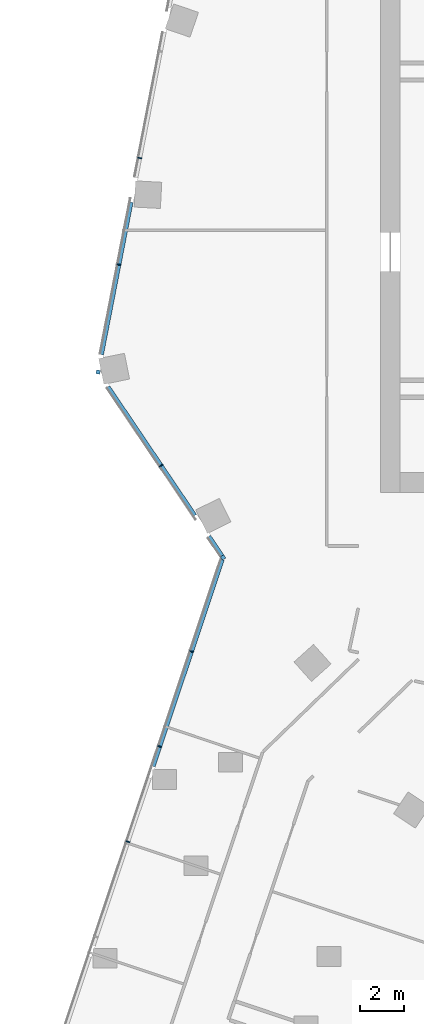
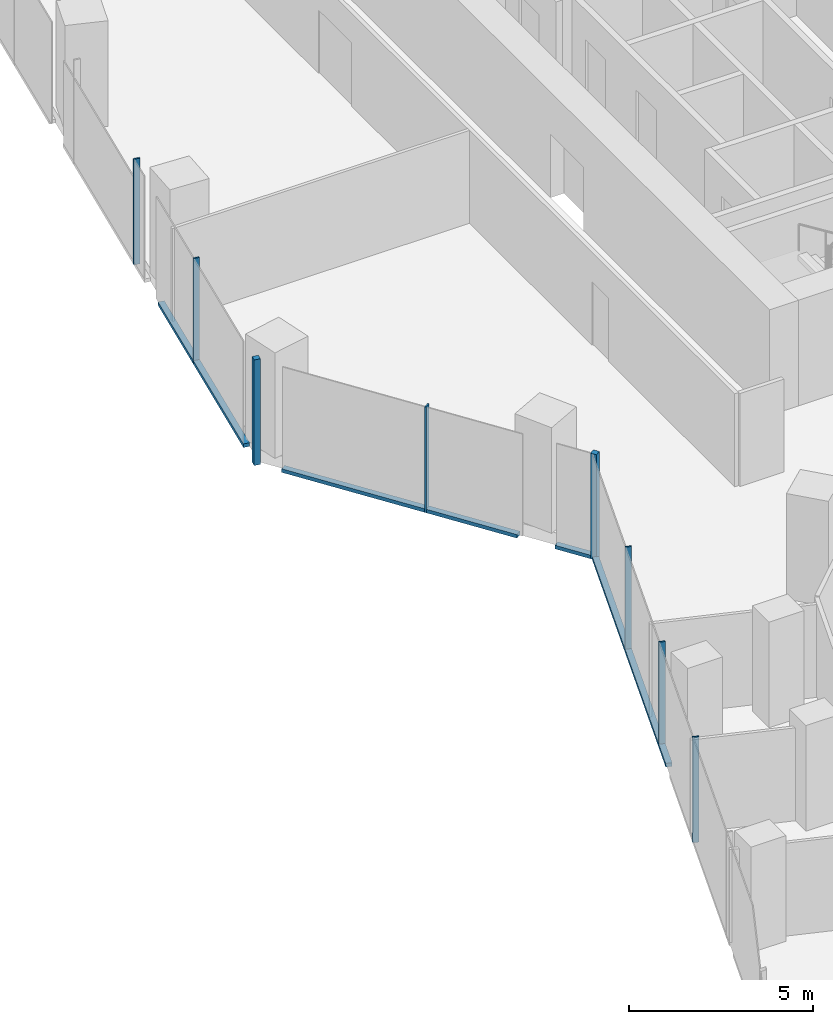
# One storey, part 6 of 25: 12 members, 3 elements without a shape of their own.
"""IFC4 building model written with IfcOpenShell, lengths in metres."""

from ifc_helpers import new_model, si_unit, direction, frame, origin, origin_2d, place, context, subcontext, project, spatial, rectangle, extrude, material, material_profile, profile_set, type_object, element, aggregate, save


model = new_model("IFC4")

# Units and contexts
model_context = context("Model", 3, precision=1e-05, world=origin(), true_north=direction((0.0, 1.0)))
body_context = subcontext(model_context, "Body", "Model", "MODEL_VIEW")
ifc_project = project(units=[si_unit("LENGTHUNIT", "METRE"), si_unit("AREAUNIT", "SQUARE_METRE"), si_unit("VOLUMEUNIT", "CUBIC_METRE"), si_unit("PLANEANGLEUNIT", "RADIAN"), si_unit("MASSUNIT", "GRAM", prefix="KILO")], contexts=[model_context])

# Site, building, storey
site_placement = place(None, origin())
site = spatial("IfcSite", under=ifc_project, at=site_placement, CompositionType="ELEMENT")
building_placement = place(site_placement, origin())
building = spatial("IfcBuilding", under=site, at=building_placement, Name="Orlundy Tower", CompositionType="ELEMENT")
storey_placement = place(building_placement, frame((0.0, 0.0, 159.60009765625)))
storey = spatial("IfcBuildingStorey", under=building, at=storey_placement, Name="L41", CompositionType="ELEMENT", Elevation=159.60009765625)

# Curtain wall, member
ifc_material_1 = material(Name="Aluminium bronze anodised", Category="aluminium")
curtain_wall_type = type_object("IfcCurtainWallType", Name="CW1 wall", PredefinedType="NOTDEFINED", material=ifc_material_1)
curtain_wall_1_placement = place(storey_placement, origin())
curtain_wall_1 = element("IfcCurtainWall", 1, at=curtain_wall_1_placement, inside=storey, type_object=curtain_wall_type, Name="CW1 run 01", PredefinedType="NOTDEFINED")
ifc_material_2 = material(Name="Aluminium bronze anodised", Category="aluminium")
ifc_material_profile_1 = material_profile(ifc_material_2, rectangle(XDim=0.179931640625, YDim=0.179931640625, at=origin_2d()), Name="CW1 corner post 180x180")
ifc_profile_set_1 = profile_set([ifc_material_profile_1], Name="Aluminium bronze anodised")
member_type_1 = type_object("IfcMemberType", Name="CW1 corner post 180x180", PredefinedType="MULLION", material=ifc_profile_set_1)
member_1_placement = place(storey_placement, frame((-26.1953125, -14.9736328125, -0.400146484375), z_axis=(0.0, 0.0, 1.0), x_axis=(-0.829032104807, -0.559201009656, 0.0)))
member_1 = element("IfcMember", 2, at=member_1_placement, type_object=member_type_1, Name="CW1 mullion 7", PredefinedType="MULLION", context=body_context, shape_type="SweptSolid", body=[
    extrude(rectangle(XDim=0.179931640625, YDim=0.179931640625, at=origin_2d()), origin(), (0.0, 0.0, 1.0), 3.5),
])

curtain_wall_2_placement = place(storey_placement, origin())
curtain_wall_2 = element("IfcCurtainWall", 3, at=curtain_wall_2_placement, inside=storey, type_object=curtain_wall_type, Name="CW1 run 02", PredefinedType="NOTDEFINED")
member_2_placement = place(storey_placement, frame((-31.91552734375, -6.493408203125, -0.400146484375), z_axis=(0.0, 0.0, 1.0), x_axis=(-0.981627952333, 0.19080503976, 0.0)))
member_2 = element("IfcMember", 4, at=member_2_placement, type_object=member_type_1, Name="CW1 mullion 9", PredefinedType="MULLION", context=body_context, shape_type="SweptSolid", body=[
    extrude(rectangle(XDim=0.179931640625, YDim=0.179931640625, at=origin_2d()), origin(), (0.0, 0.0, 1.0), 3.5),
])

# Curtain wall, members
curtain_wall_3_placement = place(storey_placement, origin())
curtain_wall_3 = element("IfcCurtainWall", 5, at=curtain_wall_3_placement, inside=storey, type_object=curtain_wall_type, Name="CW1 run 00", PredefinedType="NOTDEFINED")
ifc_material_3 = material(Name="Aluminium bronze anodised", Category="aluminium")
ifc_material_profile_2 = material_profile(ifc_material_3, rectangle(XDim=0.179931640625, YDim=0.050048828125, at=origin_2d()), Name="CW1 mullion 50x180")
ifc_profile_set_2 = profile_set([ifc_material_profile_2], Name="Aluminium bronze anodised")
member_type_2 = type_object("IfcMemberType", Name="CW1 mullion 50x180", PredefinedType="MULLION", material=ifc_profile_set_2)
member_3_placement = place(storey_placement, frame((-30.54931640625, -27.986328125, -0.400146484375), z_axis=(0.0, 0.0, 1.0), x_axis=(-0.948326756752, 0.317295386712, 0.0)))
member_3 = element("IfcMember", 6, at=member_3_placement, type_object=member_type_2, Name="CW1 mullion 4", PredefinedType="MULLION", context=body_context, shape_type="SweptSolid", body=[
    extrude(rectangle(XDim=0.179931640625, YDim=0.050048828125, at=origin_2d()), origin(), (0.0, 0.0, 1.0), 3.5),
])
member_4_placement = place(storey_placement, frame((-29.09326171875, -23.634765625, -0.400146484375), z_axis=(0.0, 0.0, 1.0), x_axis=(-0.948326756752, 0.317295386712, 0.0)))
member_4 = element("IfcMember", 7, at=member_4_placement, type_object=member_type_2, Name="CW1 mullion 5", PredefinedType="MULLION", context=body_context, shape_type="SweptSolid", body=[
    extrude(rectangle(XDim=0.179931640625, YDim=0.050048828125, at=origin_2d()), origin(), (0.0, 0.0, 1.0), 3.5),
])
member_5_placement = place(storey_placement, frame((-27.637451171875, -19.283203125, -0.400146484375), z_axis=(0.0, 0.0, 1.0), x_axis=(-0.948326756752, 0.317295386712, 0.0)))
member_5 = element("IfcMember", 8, at=member_5_placement, type_object=member_type_2, Name="CW1 mullion 6", PredefinedType="MULLION", context=body_context, shape_type="SweptSolid", body=[
    extrude(rectangle(XDim=0.179931640625, YDim=0.050048828125, at=origin_2d()), origin(), (0.0, 0.0, 1.0), 3.5),
])

# Member
member_6_placement = place(storey_placement, frame((-29.03271484375, -10.767333984375, -0.400146484375), z_axis=(0.0, 0.0, 1.0), x_axis=(-0.829032104807, -0.559201009656, 0.0)))
member_6 = element("IfcMember", 9, at=member_6_placement, type_object=member_type_2, Name="CW1 mullion 8", PredefinedType="MULLION", context=body_context, shape_type="SweptSolid", body=[
    extrude(rectangle(XDim=0.179931640625, YDim=0.050048828125, at=origin_2d()), origin(), (0.0, 0.0, 1.0), 3.5),
])

member_7_placement = place(storey_placement, frame((-30.9599609375, -1.57763671875, -0.400146484375), z_axis=(0.0, 0.0, 1.0), x_axis=(-0.981627952333, 0.19080503976, 0.0)))
member_7 = element("IfcMember", 10, at=member_7_placement, type_object=member_type_2, Name="CW1 mullion 10", PredefinedType="MULLION", context=body_context, shape_type="SweptSolid", body=[
    extrude(rectangle(XDim=0.179931640625, YDim=0.050048828125, at=origin_2d()), origin(), (0.0, 0.0, 1.0), 3.5),
])

member_8_placement = place(storey_placement, frame((-30.011474609375, 3.301513671875, -0.400146484375), z_axis=(0.0, 0.0, 1.0), x_axis=(-0.981627952333, 0.19080503976, 0.0)))
member_8 = element("IfcMember", 11, at=member_8_placement, type_object=member_type_2, Name="CW1 mullion 11", PredefinedType="MULLION", context=body_context, shape_type="SweptSolid", body=[
    extrude(rectangle(XDim=0.179931640625, YDim=0.050048828125, at=origin_2d()), origin(), (0.0, 0.0, 1.0), 3.5),
])

ifc_material_4 = material(Name="Aluminium bronze anodised", Category="aluminium")
ifc_material_profile_3 = material_profile(ifc_material_4, rectangle(XDim=0.179931640625, YDim=0.1201171875, at=origin_2d()), Name="CW1 transom 180x120")
ifc_profile_set_3 = profile_set([ifc_material_profile_3], Name="Aluminium bronze anodised")
member_type_3 = type_object("IfcMemberType", Name="CW1 transom 180x120", PredefinedType="USERDEFINED", material=ifc_profile_set_3)
member_9_placement = place(storey_placement, frame((-29.39599609375, -24.5390625, -0.340087890625), z_axis=(0.317299754244, 0.948325295432, 0.0), x_axis=(-0.948325295432, 0.317299754244, 0.0)))
member_9 = element("IfcMember", 12, at=member_9_placement, type_object=member_type_3, Name="CW1 transom", ObjectType="TRANSOM", PredefinedType="USERDEFINED", context=body_context, shape_type="SweptSolid", body=[
    extrude(rectangle(XDim=0.179931640625, YDim=0.1201171875, at=origin_2d()), origin(), (0.0, 0.0, 1.0), 9.973388671875),
])

aggregate(curtain_wall_3, [member_3, member_4, member_5, member_9])

member_10_placement = place(storey_placement, frame((-26.245849609375, -14.89892578125, -0.340087890625), z_axis=(-0.559156219571, 0.829062314977, 0.0), x_axis=(-0.829062314977, -0.559156219571, 0.0)))
member_10 = element("IfcMember", 13, at=member_10_placement, type_object=member_type_3, Name="CW1 transom", ObjectType="TRANSOM", PredefinedType="USERDEFINED", context=body_context, shape_type="SweptSolid", body=[
    extrude(rectangle(XDim=0.179931640625, YDim=0.1201171875, at=origin_2d()), origin(), (0.0, 0.0, 1.0), 1.07275390625),
])

member_11_placement = place(storey_placement, frame((-27.488525390625, -13.056396484375, -0.340087890625), z_axis=(-0.559196044815, 0.829035453683, 0.0), x_axis=(-0.829035453683, -0.559196044815, 0.0)))
member_11 = element("IfcMember", 14, at=member_11_placement, type_object=member_type_3, Name="CW1 transom", ObjectType="TRANSOM", PredefinedType="USERDEFINED", context=body_context, shape_type="SweptSolid", body=[
    extrude(rectangle(XDim=0.179931640625, YDim=0.1201171875, at=origin_2d()), origin(), (0.0, 0.0, 1.0), 7.10498046875),
])

aggregate(curtain_wall_1, [member_1, member_6, member_10, member_11])

member_12_placement = place(storey_placement, frame((-31.760498046875, -5.696044921875, -0.340087890625), z_axis=(0.190817270766, 0.981625574839, 0.0), x_axis=(-0.981625574839, 0.190817270766, 0.0)))
member_12 = element("IfcMember", 15, at=member_12_placement, type_object=member_type_3, Name="CW1 transom", ObjectType="TRANSOM", PredefinedType="USERDEFINED", context=body_context, shape_type="SweptSolid", body=[
    extrude(rectangle(XDim=0.179931640625, YDim=0.1201171875, at=origin_2d()), origin(), (0.0, 0.0, 1.0), 7.10986328125),
])

aggregate(curtain_wall_2, [member_2, member_7, member_8, member_12])

save(model, "model.ifc")
